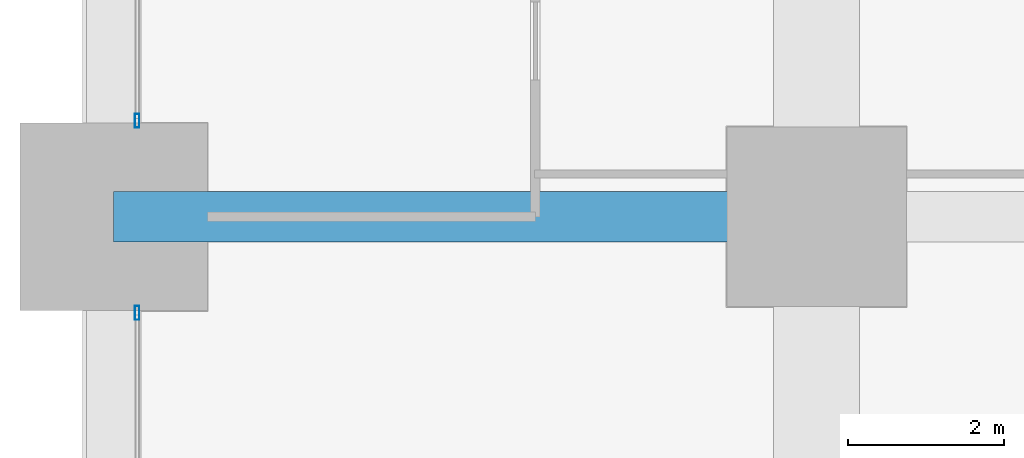
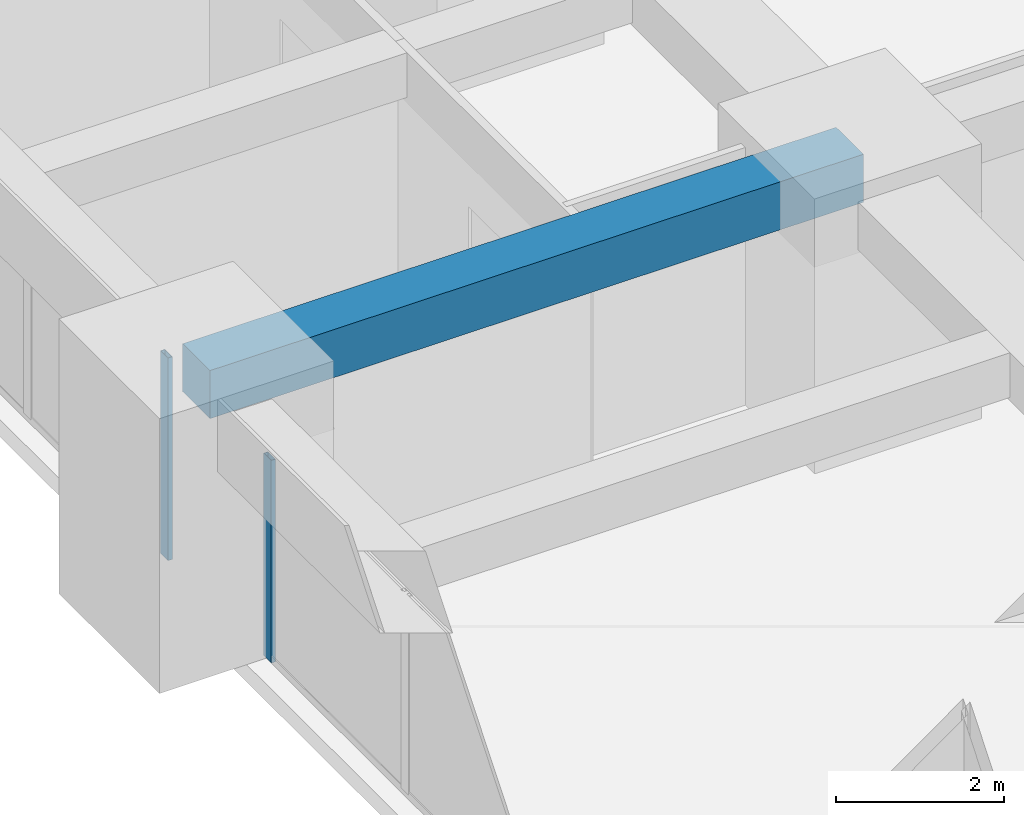
# One storey, part 23 of 44: 2 members, 1 beam, 2 elements without a shape of their own.
"""IFC4 building model written with IfcOpenShell, lengths in metres."""

from ifc_helpers import new_model, si_unit, direction, frame, origin, origin_2d, place, context, subcontext, project, spatial, rectangle, hollow_rectangle, extrude, material, material_profile, profile_set, type_object, element, aggregate, save


model = new_model("IFC4")

# Units and contexts
model_context = context("Model", 3, precision=1e-05, world=origin(), true_north=direction((0.0, 1.0)))
body_context = subcontext(model_context, "Body", "Model", "MODEL_VIEW")
ifc_project = project(units=[si_unit("LENGTHUNIT", "METRE"), si_unit("AREAUNIT", "SQUARE_METRE"), si_unit("VOLUMEUNIT", "CUBIC_METRE"), si_unit("PLANEANGLEUNIT", "RADIAN"), si_unit("MASSUNIT", "GRAM", prefix="KILO")], contexts=[model_context])

# Site, building, storey
site_placement = place(None, origin())
site = spatial("IfcSite", under=ifc_project, at=site_placement, CompositionType="ELEMENT")
building_placement = place(site_placement, origin())
building = spatial("IfcBuilding", under=site, at=building_placement, Name="Zorevar Civic Tower", CompositionType="ELEMENT")
storey_placement = place(building_placement, frame((0.0, 0.0, 31.800048828125)))
storey = spatial("IfcBuildingStorey", under=building, at=storey_placement, Name="L07", CompositionType="ELEMENT", Elevation=31.800048828125)

# Beam
ifc_material_1 = material(Name="Concrete C50/60", Category="concrete")
ifc_material_profile_1 = material_profile(ifc_material_1, rectangle(XDim=0.64990234375, YDim=0.699951171875, at=origin_2d()), Name="RC 650x700")
ifc_profile_set_1 = profile_set([ifc_material_profile_1], Name="Concrete C50/60")
beam_type = type_object("IfcBeamType", Name="Beam RC 650x700", PredefinedType="BEAM", material=ifc_profile_set_1)
beam_placement = place(storey_placement, frame((0.0, 36.0, 3.39990234375), z_axis=(1.0, 0.0, 0.0), x_axis=(0.0, 1.0, 0.0)))
element("IfcBeam", 1, at=beam_placement, inside=storey, type_object=beam_type, Name="Girder L08", PredefinedType="BEAM", context=body_context, shape_type="SweptSolid", body=[
    extrude(rectangle(XDim=0.64990234375, YDim=0.699951171875, at=origin_2d()), origin(), (0.0, 0.0, 1.0), 9.0),
])

# Curtain wall, member
ifc_material_2 = material(Name="Dark grey solar-control glass in black aluminium frame", Category="aluminium")
curtain_wall_type = type_object("IfcCurtainWallType", Name="Curtain wall CW2 low zone", PredefinedType="NOTDEFINED", material=ifc_material_2)
curtain_wall_1_placement = place(storey_placement, origin())
curtain_wall_1 = element("IfcCurtainWall", 2, at=curtain_wall_1_placement, inside=storey, type_object=curtain_wall_type, Name="CW2 L07", PredefinedType="NOTDEFINED")
ifc_material_3 = material(Name="Aluminium, black anodised", Category="aluminium")
ifc_material_profile_2 = material_profile(ifc_material_3, hollow_rectangle(XDim=0.06005859375, YDim=0.179931640625, WallThickness=0.00390625, at=origin_2d()), Name="AL 180x60x4")
ifc_profile_set_2 = profile_set([ifc_material_profile_2], Name="Aluminium, black anodised")
member_type = type_object("IfcMemberType", Name="CW2 mullion AL 180x60x4", PredefinedType="MULLION", material=ifc_profile_set_2)
member_1_placement = place(storey_placement, frame((0.300048828125, 34.77001953125, 0.0), z_axis=(0.0, 0.0, 1.0), x_axis=(-1.0, 0.0, 0.0)))
member_1 = element("IfcMember", 3, at=member_1_placement, type_object=member_type, Name="CW2 mullion 3", PredefinedType="MULLION", context=body_context, shape_type="SweptSolid", body=[
    extrude(hollow_rectangle(XDim=0.06005859375, YDim=0.179931640625, WallThickness=0.00390625, at=origin_2d()), origin(), (0.0, 0.0, 1.0), 2.949951171875),
])
aggregate(curtain_wall_1, [member_1])

curtain_wall_2_placement = place(storey_placement, origin())
curtain_wall_2 = element("IfcCurtainWall", 4, at=curtain_wall_2_placement, inside=storey, type_object=curtain_wall_type, Name="CW2 L07", PredefinedType="NOTDEFINED")
member_2_placement = place(storey_placement, frame((0.300048828125, 37.22998046875, 0.0), z_axis=(0.0, 0.0, 1.0), x_axis=(-1.0, 0.0, 0.0)))
member_2 = element("IfcMember", 5, at=member_2_placement, type_object=member_type, Name="CW2 mullion 1", PredefinedType="MULLION", context=body_context, shape_type="SweptSolid", body=[
    extrude(hollow_rectangle(XDim=0.06005859375, YDim=0.179931640625, WallThickness=0.00390625, at=origin_2d()), origin(), (0.0, 0.0, 1.0), 2.949951171875),
])
aggregate(curtain_wall_2, [member_2])

save(model, "model.ifc")
